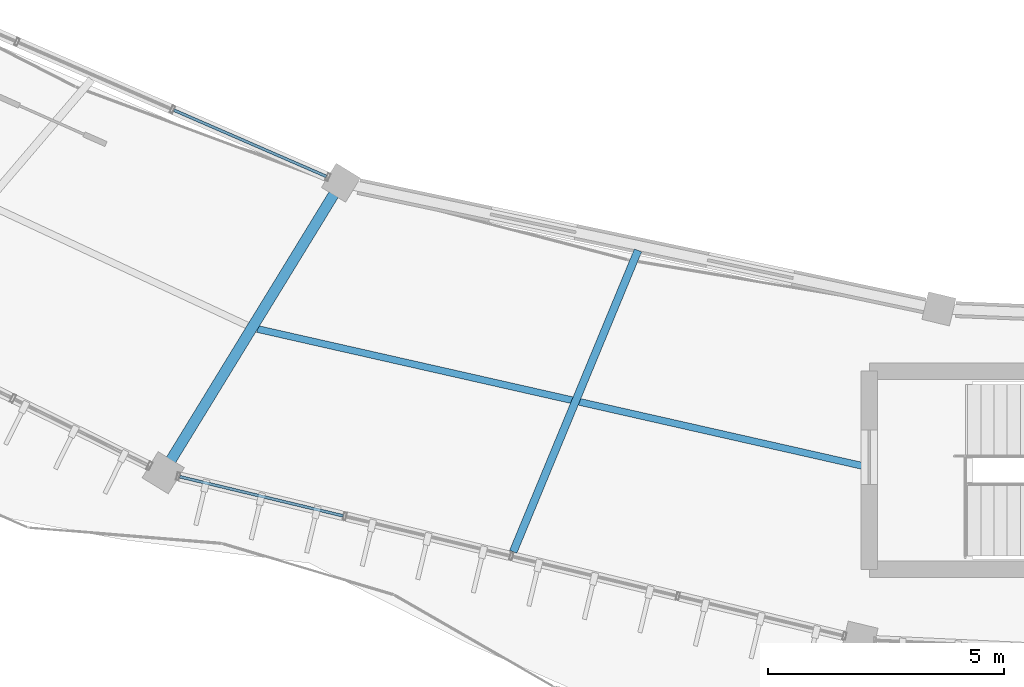
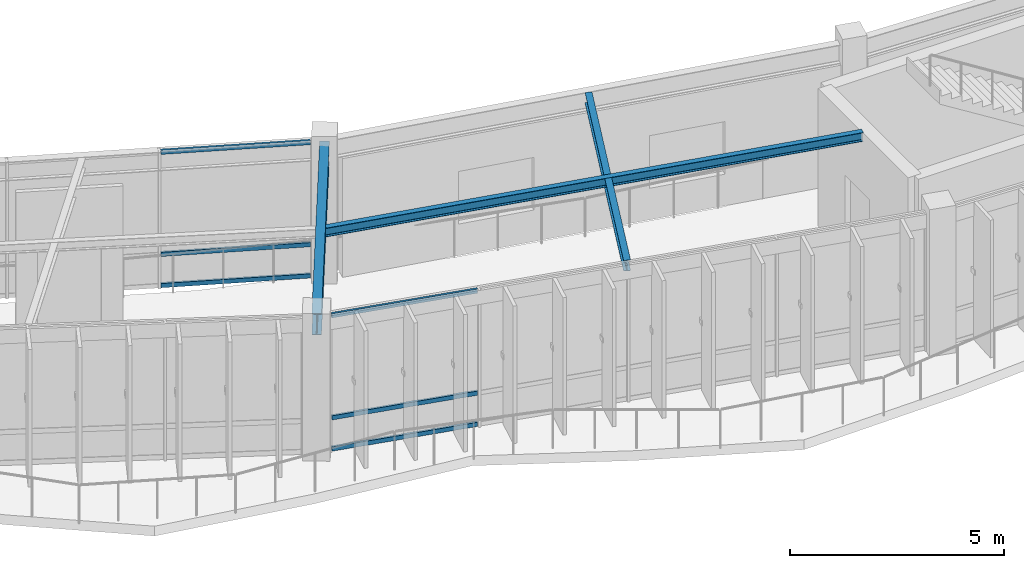
# One storey, part 44 of 114: 6 members, 3 beams, 2 elements without a shape of their own.
"""IFC4 building model written with IfcOpenShell, lengths in metres."""

from ifc_helpers import new_model, si_unit, direction, frame, origin, origin_2d, place, context, subcontext, project, spatial, hollow_rectangle, i_section, extrude, material, material_profile, profile_set, type_object, element, aggregate, save


model = new_model("IFC4")

# Units and contexts
model_context = context("Model", 3, precision=1e-05, world=origin(), true_north=direction((0.0, 1.0)))
body_context = subcontext(model_context, "Body", "Model", "MODEL_VIEW")
ifc_project = project(units=[si_unit("LENGTHUNIT", "METRE"), si_unit("AREAUNIT", "SQUARE_METRE"), si_unit("VOLUMEUNIT", "CUBIC_METRE"), si_unit("PLANEANGLEUNIT", "RADIAN"), si_unit("MASSUNIT", "GRAM", prefix="KILO"), si_unit("THERMODYNAMICTEMPERATUREUNIT", "KELVIN"), si_unit("POWERUNIT", "WATT")], contexts=[model_context])

# Site, building, storey
site_placement = place(None, origin())
site = spatial("IfcSite", under=ifc_project, at=site_placement, CompositionType="ELEMENT")
building_placement = place(site_placement, origin())
building = spatial("IfcBuilding", under=site, at=building_placement, Name="Darbajah Civic Hall", CompositionType="ELEMENT")
storey_placement = place(building_placement, frame((0.0, 0.0, 13.800048828125)))
storey = spatial("IfcBuildingStorey", under=building, at=storey_placement, Name="L03", CompositionType="ELEMENT", Elevation=13.800048828125)

# Curtain wall, members
ifc_material_1 = material(Name="Anodised Bronze Aluminium and Low-E Glazing", Category="aluminium")
curtain_wall_type_1 = type_object("IfcCurtainWallType", Name="Unitised Curtain Wall CW-39 10800x3900", PredefinedType="USERDEFINED", material=ifc_material_1)
curtain_wall_1_placement = place(storey_placement, origin())
curtain_wall_1 = element("IfcCurtainWall", 1, at=curtain_wall_1_placement, inside=storey, type_object=curtain_wall_type_1, Name="L03 unitised curtain wall CW-V1I-L03-12", ObjectType="UNITISED CURTAIN WALL", PredefinedType="USERDEFINED")
ifc_material_2 = material(Name="Anodised Bronze Aluminium", Category="aluminium")
ifc_material_profile_1 = material_profile(ifc_material_2, hollow_rectangle(XDim=0.06005859375, YDim=0.1201171875, WallThickness=0.003173828125, at=origin_2d()), Name="ALU TRANSOM 60x120")
ifc_profile_set_1 = profile_set([ifc_material_profile_1], Name="Anodised Bronze Aluminium")
member_type = type_object("IfcMemberType", Name="ALU TRANSOM 60x120", PredefinedType="USERDEFINED", material=ifc_profile_set_1)
member_1_placement = place(storey_placement, frame((62.680908203125, 72.32275390625, 0.06005859375), z_axis=(0.917034730429, -0.398807350968, 0.0), x_axis=(0.398807350968, 0.917034730429, 0.0)))
member_1 = element("IfcMember", 2, at=member_1_placement, type_object=member_type, Name="CW-V1I-L03-12 transom 3.1", ObjectType="TRANSOM", PredefinedType="USERDEFINED", context=body_context, shape_type="SweptSolid", body=[
    extrude(hollow_rectangle(XDim=0.06005859375, YDim=0.1201171875, WallThickness=0.003173828125, at=origin_2d()), origin(), (0.0, 0.0, 1.0), 3.516357421875),
])
member_2_placement = place(storey_placement, frame((62.680908203125, 72.32275390625, 0.949951171875), z_axis=(0.917034730429, -0.398807350968, 0.0), x_axis=(0.398807350968, 0.917034730429, 0.0)))
member_2 = element("IfcMember", 3, at=member_2_placement, type_object=member_type, Name="CW-V1I-L03-12 transom 3.2", ObjectType="TRANSOM", PredefinedType="USERDEFINED", context=body_context, shape_type="SweptSolid", body=[
    extrude(hollow_rectangle(XDim=0.06005859375, YDim=0.1201171875, WallThickness=0.003173828125, at=origin_2d()), origin(), (0.0, 0.0, 1.0), 3.516357421875),
])
member_3_placement = place(storey_placement, frame((62.680908203125, 72.32275390625, 3.85986328125), z_axis=(0.917034730429, -0.398807350968, 0.0), x_axis=(0.398807350968, 0.917034730429, 0.0)))
member_3 = element("IfcMember", 4, at=member_3_placement, type_object=member_type, Name="CW-V1I-L03-12 transom 3.3", ObjectType="TRANSOM", PredefinedType="USERDEFINED", context=body_context, shape_type="SweptSolid", body=[
    extrude(hollow_rectangle(XDim=0.06005859375, YDim=0.1201171875, WallThickness=0.003173828125, at=origin_2d()), origin(), (0.0, 0.0, 1.0), 3.516357421875),
])
aggregate(curtain_wall_1, [member_1, member_2, member_3])

curtain_wall_type_2 = type_object("IfcCurtainWallType", Name="Unitised Curtain Wall CW-48 14500x3900", PredefinedType="USERDEFINED", material=ifc_material_1)
curtain_wall_2_placement = place(storey_placement, origin())
curtain_wall_2 = element("IfcCurtainWall", 5, at=curtain_wall_2_placement, inside=storey, type_object=curtain_wall_type_2, Name="L03 unitised curtain wall CW-V1O-L03-13", ObjectType="UNITISED CURTAIN WALL", PredefinedType="USERDEFINED")
member_4_placement = place(storey_placement, frame((62.8046875, 64.562744140625, 0.06005859375), z_axis=(0.972474478813, -0.233009416244, 0.0), x_axis=(0.233009416244, 0.972474478813, 0.0)))
member_4 = element("IfcMember", 6, at=member_4_placement, type_object=member_type, Name="CW-V1O-L03-13 transom 1.1", ObjectType="TRANSOM", PredefinedType="USERDEFINED", context=body_context, shape_type="SweptSolid", body=[
    extrude(hollow_rectangle(XDim=0.06005859375, YDim=0.1201171875, WallThickness=0.003173828125, at=origin_2d()), origin(), (0.0, 0.0, 1.0), 3.55615234375),
])
member_5_placement = place(storey_placement, frame((62.8046875, 64.562744140625, 0.949951171875), z_axis=(0.972474478813, -0.233009416244, 0.0), x_axis=(0.233009416244, 0.972474478813, 0.0)))
member_5 = element("IfcMember", 7, at=member_5_placement, type_object=member_type, Name="CW-V1O-L03-13 transom 1.2", ObjectType="TRANSOM", PredefinedType="USERDEFINED", context=body_context, shape_type="SweptSolid", body=[
    extrude(hollow_rectangle(XDim=0.06005859375, YDim=0.1201171875, WallThickness=0.003173828125, at=origin_2d()), origin(), (0.0, 0.0, 1.0), 3.55615234375),
])
member_6_placement = place(storey_placement, frame((62.8046875, 64.562744140625, 3.85986328125), z_axis=(0.972474478813, -0.233009416244, 0.0), x_axis=(0.233009416244, 0.972474478813, 0.0)))
member_6 = element("IfcMember", 8, at=member_6_placement, type_object=member_type, Name="CW-V1O-L03-13 transom 1.3", ObjectType="TRANSOM", PredefinedType="USERDEFINED", context=body_context, shape_type="SweptSolid", body=[
    extrude(hollow_rectangle(XDim=0.06005859375, YDim=0.1201171875, WallThickness=0.003173828125, at=origin_2d()), origin(), (0.0, 0.0, 1.0), 3.55615234375),
])
aggregate(curtain_wall_2, [member_4, member_5, member_6])

# Beams
ifc_material_3 = material(Name="Steel S355JR", Category="steel")
ifc_material_profile_2 = material_profile(ifc_material_3, i_section(OverallWidth=0.146484375, OverallDepth=0.256103515625, WebThickness=0.00634765625, FlangeThickness=0.010986328125, FilletRadius=0.007568359375, at=origin_2d()), Name="UB 254x146x37")
ifc_profile_set_2 = profile_set([ifc_material_profile_2], Name="Steel S355JR")
beam_type_1 = type_object("IfcBeamType", Name="UB 254x146x37", PredefinedType="JOIST", material=ifc_profile_set_2)
beam_1_placement = place(storey_placement, frame((64.44677734375, 67.69091796875, 3.7919921875), z_axis=(0.975333080849, -0.220738264473, 0.0), x_axis=(0.220738264473, 0.975333080849, 0.0)))
element("IfcBeam", 9, at=beam_1_placement, inside=storey, type_object=beam_type_1, Name="L03 beam SJ-254", PredefinedType="JOIST", context=body_context, shape_type="SweptSolid", body=[
    extrude(i_section(OverallWidth=0.146484375, OverallDepth=0.256103515625, WebThickness=0.00634765625, FlangeThickness=0.010986328125, FilletRadius=0.007568359375, at=origin_2d()), origin(), (0.0, 0.0, 1.0), 13.13720703125),
])
ifc_material_profile_3 = material_profile(ifc_material_3, i_section(OverallWidth=0.165771484375, OverallDepth=0.306640625, WebThickness=0.006591796875, FlangeThickness=0.01171875, FilletRadius=0.0087890625, at=origin_2d()), Name="UB 305x165x46")
ifc_profile_set_3 = profile_set([ifc_material_profile_3], Name="Steel S355JR")
beam_type_2 = type_object("IfcBeamType", Name="UB 305x165x46", PredefinedType="JOIST", material=ifc_profile_set_3)
beam_2_placement = place(storey_placement, frame((72.50439453125, 69.353271484375, 3.7666015625), z_axis=(-0.382685995053, -0.923878471007, 0.0), x_axis=(0.923878471007, -0.382685995053, 0.0)))
element("IfcBeam", 10, at=beam_2_placement, inside=storey, type_object=beam_type_2, Name="L03 beam SJ-305", PredefinedType="JOIST", context=body_context, shape_type="SweptSolid", body=[
    extrude(i_section(OverallWidth=0.165771484375, OverallDepth=0.306640625, WebThickness=0.006591796875, FlangeThickness=0.01171875, FilletRadius=0.0087890625, at=origin_2d()), origin(), (0.0, 0.0, 1.0), 6.9033203125),
])
ifc_material_profile_4 = material_profile(ifc_material_3, i_section(OverallWidth=0.228271484375, OverallDepth=0.607666015625, WebThickness=0.010986328125, FlangeThickness=0.017333984375, FilletRadius=0.0126953125, at=origin_2d()), Name="UB 610x229x113")
ifc_profile_set_4 = profile_set([ifc_material_profile_4], Name="Steel S355JR")
beam_type_3 = type_object("IfcBeamType", Name="UB 610x229x113", PredefinedType="BEAM", material=ifc_profile_set_4)
beam_3_placement = place(storey_placement, frame((66.1728515625, 70.718017578125, 3.6162109375), z_axis=(-0.522500254411, -0.852639128905, 0.0), x_axis=(0.852639128905, -0.522500254411, 0.0)))
element("IfcBeam", 11, at=beam_3_placement, inside=storey, type_object=beam_type_3, Name="L03 beam SB-610", PredefinedType="BEAM", context=body_context, shape_type="SweptSolid", body=[
    extrude(i_section(OverallWidth=0.228271484375, OverallDepth=0.607666015625, WebThickness=0.010986328125, FlangeThickness=0.017333984375, FilletRadius=0.0126953125, at=origin_2d()), origin(), (0.0, 0.0, 1.0), 7.0400390625),
])

save(model, "model.ifc")
